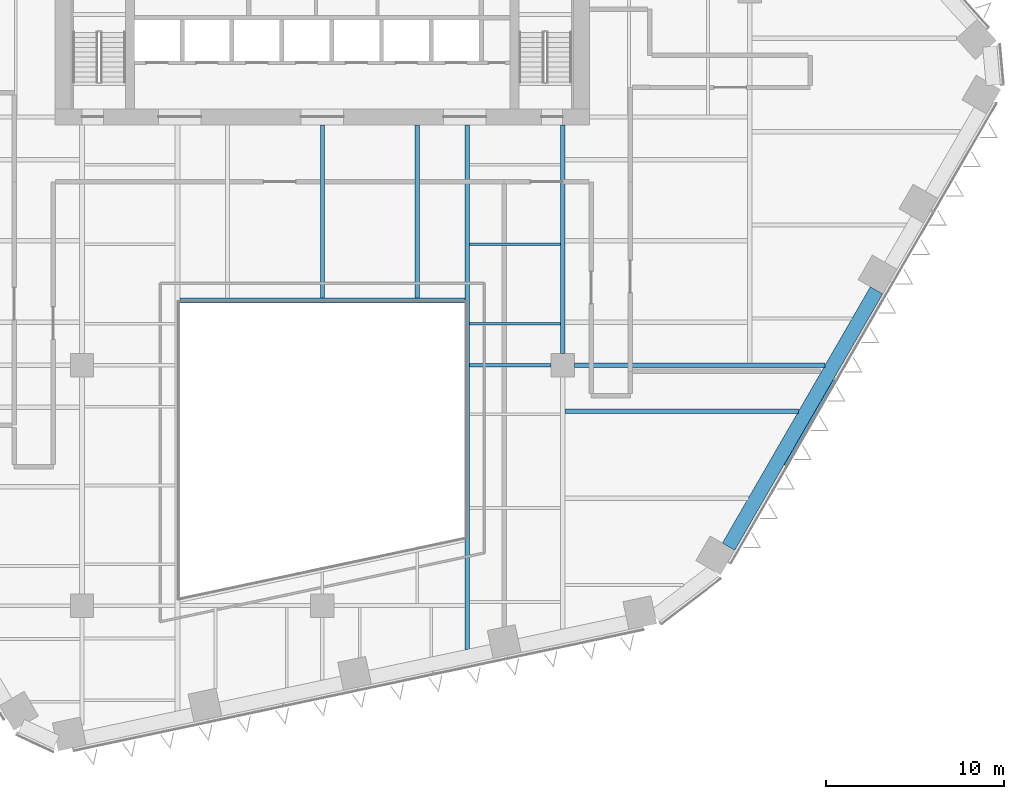
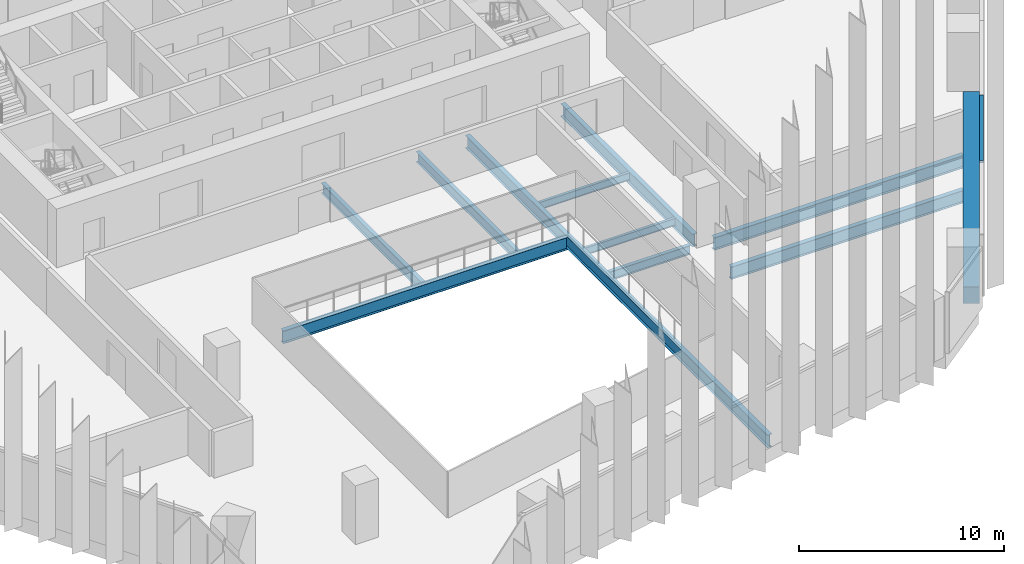
# One storey, part 6 of 24: 11 beams, 1 member, 1 element without a shape of its own.
"""IFC4 building model written with IfcOpenShell, lengths in metres."""

from ifc_helpers import new_model, si_unit, direction, frame, origin, origin_2d, place, context, subcontext, project, spatial, rectangle, i_section, extrude, material, layer, layer_set, material_profile, profile_set, type_object, element, aggregate, save


model = new_model("IFC4")

# Units and contexts
model_context = context("Model", 3, precision=1e-05, world=origin(), true_north=direction((0.0, 1.0)))
body_context = subcontext(model_context, "Body", "Model", "MODEL_VIEW")
ifc_project = project(units=[si_unit("LENGTHUNIT", "METRE"), si_unit("AREAUNIT", "SQUARE_METRE"), si_unit("VOLUMEUNIT", "CUBIC_METRE"), si_unit("PLANEANGLEUNIT", "RADIAN"), si_unit("MASSUNIT", "GRAM", prefix="KILO")], contexts=[model_context])

# Site, building, storey
site_placement = place(None, origin())
site = spatial("IfcSite", under=ifc_project, at=site_placement, CompositionType="ELEMENT")
building_placement = place(site_placement, origin())
building = spatial("IfcBuilding", under=site, at=building_placement, Name="Isthmus Gate Tower", CompositionType="ELEMENT")
storey_placement = place(building_placement, frame((0.0, 0.0, 80.64990234375)))
storey = spatial("IfcBuildingStorey", under=building, at=storey_placement, Name="L18", CompositionType="ELEMENT", Elevation=80.64990234375)

# Curtain wall, member
ifc_material_1 = material(Name="Aluminium, pale champagne anodised", Category="aluminium")
ifc_layer = layer(ifc_material_1, 0.199951171875)
ifc_layer_set = layer_set([ifc_layer], Name="CW-1 UNITISED CURTAIN WALL 200 DEEP")
curtain_wall_type = type_object("IfcCurtainWallType", Name="CW-1 UNITISED CURTAIN WALL 200 DEEP", PredefinedType="NOTDEFINED", material=ifc_layer_set)
curtain_wall_placement = place(storey_placement, origin())
curtain_wall = element("IfcCurtainWall", 1, at=curtain_wall_placement, inside=storey, type_object=curtain_wall_type, Name="CW-1 SE L18", PredefinedType="NOTDEFINED")
ifc_material_2 = material(Name="Aluminium, pale champagne anodised", Category="aluminium")
ifc_material_profile_1 = material_profile(ifc_material_2, rectangle(XDim=0.199951171875, YDim=0.14990234375, at=origin_2d()), Name="200x150")
ifc_profile_set_1 = profile_set([ifc_material_profile_1], Name="Aluminium, pale champagne anodised")
member_type = type_object("IfcMemberType", Name="CW-1 TRANSOM 200 X 150", PredefinedType="USERDEFINED", material=ifc_profile_set_1)
member_placement = place(storey_placement, frame((26.017822265625, -19.135986328125, 3.5751953125), z_axis=(0.499993363642, 0.866029235253, 0.0), x_axis=(-0.866029235253, 0.499993363642, 0.0)))
member = element("IfcMember", 2, at=member_placement, type_object=member_type, Name="CW-1 transom", ObjectType="TRANSOM", PredefinedType="USERDEFINED", context=body_context, shape_type="SweptSolid", body=[
    extrude(rectangle(XDim=0.199951171875, YDim=0.14990234375, at=origin_2d()), origin(), (0.0, 0.0, 1.0), 5.53857421875),
])
aggregate(curtain_wall, [member])

# Beams
ifc_material_3 = material(Name="Concrete f'c 70 MPa", Category="concrete")
ifc_material_profile_2 = material_profile(ifc_material_3, rectangle(XDim=0.800048828125, YDim=1.0, at=origin_2d()), Name="RC 800X1000")
ifc_profile_set_2 = profile_set([ifc_material_profile_2], Name="Concrete f'c 70 MPa")
beam_type_1 = type_object("IfcBeamType", Name="RC SPANDREL 800 X 1000", PredefinedType="SPANDREL", material=ifc_profile_set_2)
beam_1_placement = place(storey_placement, frame((31.123291015625, -9.292724609375, -0.5), z_axis=(-0.499999725976, -0.866025561992, 0.0), x_axis=(0.866025561992, -0.499999725976, 0.0)))
element("IfcBeam", 3, at=beam_1_placement, inside=storey, type_object=beam_type_1, Name="str-spandrel-L18-08", PredefinedType="SPANDREL", context=body_context, shape_type="SweptSolid", body=[
    extrude(rectangle(XDim=0.800048828125, YDim=1.0, at=origin_2d()), origin(), (0.0, 0.0, 1.0), 16.61572265625),
])
ifc_material_4 = material(Name="Structural steel ASTM A992 Gr 50", Category="steel")
ifc_material_profile_3 = material_profile(ifc_material_4, i_section(OverallWidth=0.15234375, OverallDepth=0.45068359375, WebThickness=0.0078125, FlangeThickness=0.010986328125, at=origin_2d()), Name="W18X35")
ifc_profile_set_3 = profile_set([ifc_material_profile_3], Name="Structural steel ASTM A992 Gr 50")
beam_type_2 = type_object("IfcBeamType", Name="STEEL FLOOR BEAM W18X35", PredefinedType="JOIST", material=ifc_profile_set_3)
for number, where, z_axis, x_axis, name in (
    (4, (8.263427734375, -11.16259765625, -0.375244140625), (1.0, 0.0, 0.0), (0.0, 1.0, 0.0), "str-beam-L18-24-00"),
    (5, (8.263427734375, -6.697509765625, -0.375244140625), (1.0, 0.0, 0.0), (0.0, 1.0, 0.0), "str-beam-L18-24-01"),
):
    element("IfcBeam", number, at=place(storey_placement, frame(where, z_axis=z_axis, x_axis=x_axis)), inside=storey, type_object=beam_type_2, Name=name, PredefinedType="JOIST", context=body_context, shape_type="SweptSolid", body=[
        extrude(i_section(OverallWidth=0.15234375, OverallDepth=0.45068359375, WebThickness=0.0078125, FlangeThickness=0.010986328125, at=origin_2d()), origin(), (0.0, 0.0, 1.0), 5.104736328125),
    ])
ifc_material_5 = material(Name="Structural steel ASTM A992 Gr 50", Category="steel")
ifc_material_profile_4 = material_profile(ifc_material_5, i_section(OverallWidth=0.228515625, OverallDepth=0.603271484375, WebThickness=0.010986328125, FlangeThickness=0.014404296875, at=origin_2d()), Name="W24X68")
ifc_profile_set_4 = profile_set([ifc_material_profile_4], Name="Structural steel ASTM A992 Gr 50")
beam_type_3 = type_object("IfcBeamType", Name="STEEL FLOOR BEAM W24X68", PredefinedType="JOIST", material=ifc_profile_set_4)
for number, where, z_axis, x_axis, name in (
    (6, (0.0, -9.7333984375, -0.451416015625), (0.0, 1.0, 0.0), (-1.0, 0.0, 0.0), "str-beam-L18-17-01"),
    (7, (5.333251953125, -9.7333984375, -0.451416015625), (0.0, 1.0, 0.0), (-1.0, 0.0, 0.0), "str-beam-L18-17-02"),
):
    element("IfcBeam", number, at=place(storey_placement, frame(where, z_axis=z_axis, x_axis=x_axis)), inside=storey, type_object=beam_type_3, Name=name, PredefinedType="JOIST", context=body_context, shape_type="SweptSolid", body=[
        extrude(i_section(OverallWidth=0.228515625, OverallDepth=0.603271484375, WebThickness=0.010986328125, FlangeThickness=0.014404296875, at=origin_2d()), origin(), (0.0, 0.0, 1.0), 9.7333984375),
    ])
ifc_material_6 = material(Name="Structural steel ASTM A992 Gr 50", Category="steel")
ifc_material_profile_5 = material_profile(ifc_material_6, i_section(OverallWidth=0.263427734375, OverallDepth=0.749267578125, WebThickness=0.0126953125, FlangeThickness=0.015869140625, at=origin_2d()), Name="W30X90")
ifc_profile_set_5 = profile_set([ifc_material_profile_5], Name="Structural steel ASTM A992 Gr 50")
beam_type_4 = type_object("IfcBeamType", Name="STEEL FLOOR BEAM W30X90", PredefinedType="JOIST", material=ifc_profile_set_5)
beam_2_placement = place(storey_placement, frame((13.63330078125, -16.0751953125, -0.524658203125), z_axis=(1.0, 0.0, 0.0), x_axis=(0.0, 1.0, 0.0)))
element("IfcBeam", 8, at=beam_2_placement, inside=storey, type_object=beam_type_4, Name="str-beam-L18-28-02", PredefinedType="JOIST", context=body_context, shape_type="SweptSolid", body=[
    extrude(i_section(OverallWidth=0.263427734375, OverallDepth=0.749267578125, WebThickness=0.0126953125, FlangeThickness=0.015869140625, at=origin_2d()), origin(), (0.0, 0.0, 1.0), 13.1123046875),
])
ifc_material_7 = material(Name="Structural steel ASTM A992 Gr 50", Category="steel")
ifc_material_profile_6 = material_profile(ifc_material_7, i_section(OverallWidth=0.20947265625, OverallDepth=0.533447265625, WebThickness=0.009521484375, FlangeThickness=0.015869140625, at=origin_2d()), Name="W21X62")
ifc_profile_set_6 = profile_set([ifc_material_profile_6], Name="Structural steel ASTM A992 Gr 50")
beam_type_5 = type_object("IfcBeamType", Name="STEEL GIRDER W21X62", PredefinedType="BEAM", material=ifc_profile_set_6)
beam_3_placement = place(storey_placement, frame((8.263427734375, -13.5, -0.41650390625), z_axis=(1.0, 0.0, 0.0), x_axis=(0.0, 1.0, 0.0)))
element("IfcBeam", 9, at=beam_3_placement, inside=storey, type_object=beam_type_5, Name="str-girder-L18-07", PredefinedType="BEAM", context=body_context, shape_type="SweptSolid", body=[
    extrude(i_section(OverallWidth=0.20947265625, OverallDepth=0.533447265625, WebThickness=0.009521484375, FlangeThickness=0.015869140625, at=origin_2d()), origin(), (0.0, 0.0, 1.0), 4.586669921875),
])
ifc_material_8 = material(Name="Structural steel ASTM A992 Gr 50", Category="steel")
ifc_material_profile_7 = material_profile(ifc_material_8, i_section(OverallWidth=0.2666015625, OverallDepth=0.7587890625, WebThickness=0.014404296875, FlangeThickness=0.01904296875, at=origin_2d()), Name="W30X108")
ifc_profile_set_7 = profile_set([ifc_material_profile_7], Name="Structural steel ASTM A992 Gr 50")
beam_type_6 = type_object("IfcBeamType", Name="STEEL GIRDER W30X108", PredefinedType="BEAM", material=ifc_profile_set_7)
beam_4_placement = place(storey_placement, frame((14.14990234375, -13.5, -0.529296875), z_axis=(1.0, 0.0, 0.0), x_axis=(0.0, 1.0, 0.0)))
element("IfcBeam", 10, at=beam_4_placement, inside=storey, type_object=beam_type_6, Name="str-girder-L18-08", PredefinedType="BEAM", context=body_context, shape_type="SweptSolid", body=[
    extrude(i_section(OverallWidth=0.2666015625, OverallDepth=0.7587890625, WebThickness=0.014404296875, FlangeThickness=0.01904296875, at=origin_2d()), origin(), (0.0, 0.0, 1.0), 14.08251953125),
])
ifc_material_9 = material(Name="Structural steel ASTM A992 Gr 50", Category="steel")
ifc_material_profile_8 = material_profile(ifc_material_9, i_section(OverallWidth=0.263427734375, OverallDepth=0.749267578125, WebThickness=0.0126953125, FlangeThickness=0.015869140625, at=origin_2d()), Name="W30X90")
ifc_profile_set_8 = profile_set([ifc_material_profile_8], Name="Structural steel ASTM A992 Gr 50")
beam_type_7 = type_object("IfcBeamType", Name="STEEL GIRDER W30X90", PredefinedType="BEAM", material=ifc_profile_set_8)
beam_5_placement = place(storey_placement, frame((13.5, -12.85009765625, -0.524658203125), z_axis=(0.0, 1.0, 0.0), x_axis=(-1.0, 0.0, 0.0)))
element("IfcBeam", 11, at=beam_5_placement, inside=storey, type_object=beam_type_7, Name="str-girder-L18-33", PredefinedType="BEAM", context=body_context, shape_type="SweptSolid", body=[
    extrude(i_section(OverallWidth=0.263427734375, OverallDepth=0.749267578125, WebThickness=0.0126953125, FlangeThickness=0.015869140625, at=origin_2d()), origin(), (0.0, 0.0, 1.0), 12.85009765625),
])
ifc_material_10 = material(Name="Structural steel ASTM A992 Gr 50", Category="steel")
ifc_material_profile_9 = material_profile(ifc_material_10, i_section(OverallWidth=0.2666015625, OverallDepth=0.7587890625, WebThickness=0.014404296875, FlangeThickness=0.01904296875, at=origin_2d()), Name="W30X108")
ifc_profile_set_9 = profile_set([ifc_material_profile_9], Name="Structural steel ASTM A992 Gr 50")
beam_type_8 = type_object("IfcBeamType", Name="STEEL TRIMMER W30X108", PredefinedType="BEAM", material=ifc_profile_set_9)
beam_6_placement = place(storey_placement, frame((8.0, -9.86669921875, -0.529296875), z_axis=(-1.0, 0.0, 0.0), x_axis=(0.0, -1.0, 0.0)))
element("IfcBeam", 12, at=beam_6_placement, inside=storey, type_object=beam_type_8, Name="str-trimmer-L18-04", PredefinedType="BEAM", context=body_context, shape_type="SweptSolid", body=[
    extrude(i_section(OverallWidth=0.2666015625, OverallDepth=0.7587890625, WebThickness=0.014404296875, FlangeThickness=0.01904296875, at=origin_2d()), origin(), (0.0, 0.0, 1.0), 16.0),
])
ifc_material_11 = material(Name="Structural steel ASTM A992 Gr 50", Category="steel")
ifc_material_profile_10 = material_profile(ifc_material_11, i_section(OverallWidth=0.263427734375, OverallDepth=0.749267578125, WebThickness=0.0126953125, FlangeThickness=0.015869140625, at=origin_2d()), Name="W30X90")
ifc_profile_set_10 = profile_set([ifc_material_profile_10], Name="Structural steel ASTM A992 Gr 50")
beam_type_9 = type_object("IfcBeamType", Name="STEEL TRIMMER W30X90", PredefinedType="BEAM", material=ifc_profile_set_10)
beam_7_placement = place(storey_placement, frame((8.1318359375, -29.45361328125, -0.524658203125), z_axis=(0.0, 1.0, 0.0), x_axis=(-1.0, 0.0, 0.0)))
element("IfcBeam", 13, at=beam_7_placement, inside=storey, type_object=beam_type_9, Name="str-trimmer-L18-01", PredefinedType="BEAM", context=body_context, shape_type="SweptSolid", body=[
    extrude(i_section(OverallWidth=0.263427734375, OverallDepth=0.749267578125, WebThickness=0.0126953125, FlangeThickness=0.015869140625, at=origin_2d()), origin(), (0.0, 0.0, 1.0), 29.45361328125),
])

save(model, "model.ifc")
